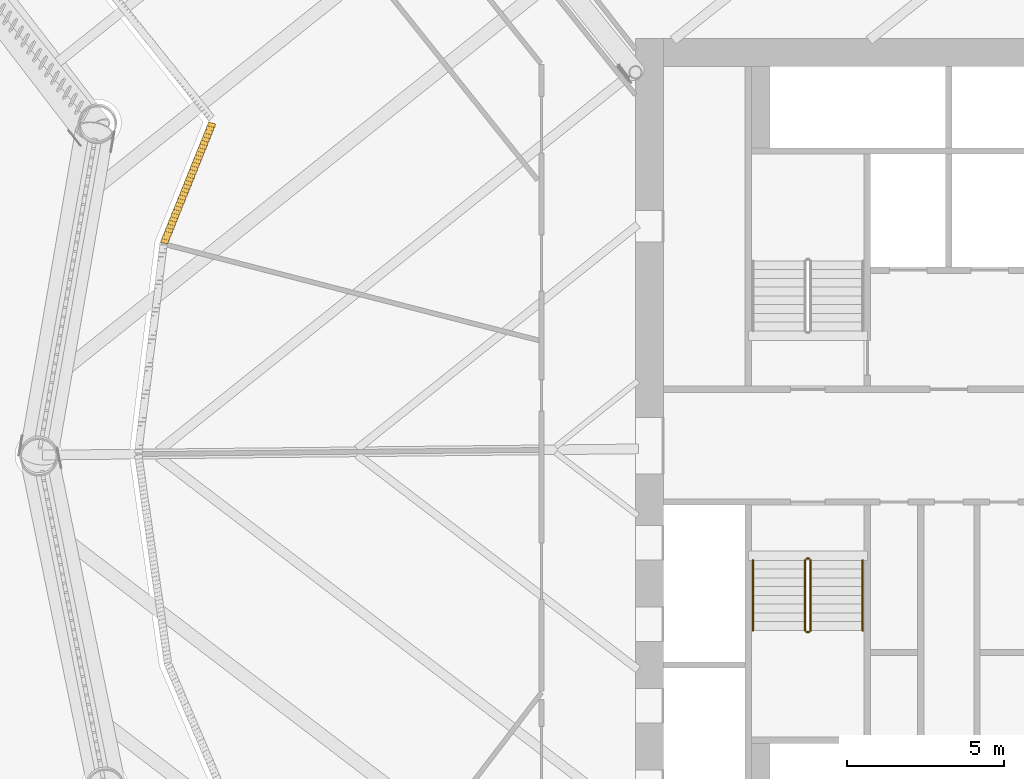
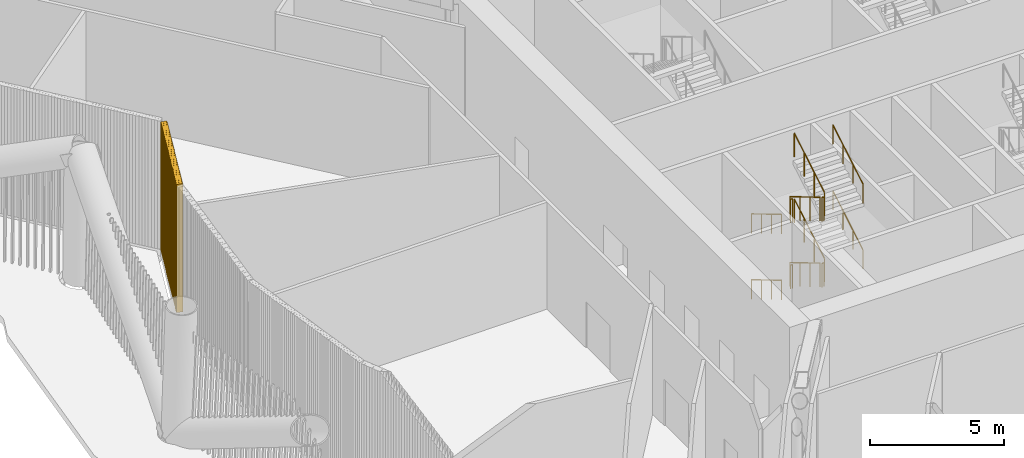
# One storey, part 40 of 48: 12 railings, 1 shading device.
"""IFC4 building model written with IfcOpenShell, lengths in metres."""

from ifc_helpers import new_model, si_unit, direction, frame, frame_2d, origin, origin_2d, place, context, subcontext, project, spatial, rectangle, circle, composite_profile, extrude, material, type_object, element, save


model = new_model("IFC4")

# Units and contexts
model_context = context("Model", 3, precision=1e-05, world=origin(), true_north=direction((0.0, 1.0)))
body_context = subcontext(model_context, "Body", "Model", "MODEL_VIEW")
ifc_project = project(units=[si_unit("LENGTHUNIT", "METRE"), si_unit("AREAUNIT", "SQUARE_METRE"), si_unit("VOLUMEUNIT", "CUBIC_METRE"), si_unit("PLANEANGLEUNIT", "RADIAN"), si_unit("MASSUNIT", "GRAM", prefix="KILO")], contexts=[model_context])

# Site, building, storey
site_placement = place(None, origin())
site = spatial("IfcSite", under=ifc_project, at=site_placement, CompositionType="ELEMENT")
building_placement = place(site_placement, origin())
building = spatial("IfcBuilding", under=site, at=building_placement, Name="Tarsis Ring Headquarters", CompositionType="ELEMENT")
storey_placement = place(building_placement, frame((0.0, 0.0, 34.0)))
storey = spatial("IfcBuildingStorey", under=building, at=storey_placement, Name="L06", CompositionType="ELEMENT", Elevation=34.0)

# Railings
ifc_material_1 = material(Name="Steel S355", Category="steel")
railing_type_1 = type_object("IfcRailingType", Name="Core stair guard 1100", PredefinedType="GUARDRAIL", material=ifc_material_1)
railing_1_placement = place(storey_placement, frame((-4.590087890625, -3.659912109375, 0.166748046875)))
element("IfcRailing", 1, at=railing_1_placement, inside=storey, type_object=railing_type_1, Name="L06 ST3 stair guard 1", PredefinedType="GUARDRAIL", context=body_context, shape_type="SweptSolid", body=[
    extrude(circle(Radius=0.02392578125, at=origin_2d()), frame((0.0, 0.0, 1.076171875), z_axis=(0.0, -0.859305625298, 0.511462454469), x_axis=(1.0, 0.0, 0.0)), (0.0, 0.0, 1.0), 2.606689453125),
    extrude(circle(Radius=0.02099609375, at=origin_2d()), origin(), (0.0, 0.0, 1.0), 1.052001953125),
    extrude(circle(Radius=0.02099609375, at=origin_2d()), frame((0.0, -0.74658203125, 0.4443359375)), (0.0, 0.0, 1.0), 1.052001953125),
    extrude(circle(Radius=0.02099609375, at=origin_2d()), frame((0.0, -1.493408203125, 0.888916015625)), (0.0, 0.0, 1.0), 1.052001953125),
    extrude(circle(Radius=0.02099609375, at=origin_2d()), frame((0.0, -2.239990234375, 1.333251953125)), (0.0, 0.0, 1.0), 1.052001953125),
])
railing_2_placement = place(storey_placement, frame((-4.5400390625, -5.949951171875, 1.5)))
element("IfcRailing", 2, at=railing_2_placement, inside=storey, type_object=railing_type_1, Name="L06 ST3 stair guard 2", PredefinedType="GUARDRAIL", context=body_context, shape_type="SweptSolid", body=[
    extrude(circle(Radius=0.02392578125, at=origin_2d()), frame((0.0, 0.0, 1.076171875), z_axis=(1.0, 0.0, 0.0), x_axis=(0.0, 1.0, 0.0)), (0.0, 0.0, 1.0), 0.080078125),
    extrude(circle(Radius=0.02099609375, at=origin_2d()), origin(), (0.0, 0.0, 1.0), 1.052001953125),
    extrude(circle(Radius=0.02099609375, at=origin_2d()), frame((0.080078125, 0.0, 0.0)), (0.0, 0.0, 1.0), 1.052001953125),
])
railing_3_placement = place(storey_placement, frame((-4.409912109375, -5.89990234375, 1.666748046875)))
element("IfcRailing", 3, at=railing_3_placement, inside=storey, type_object=railing_type_1, Name="L06 ST3 stair guard 3", PredefinedType="GUARDRAIL", context=body_context, shape_type="SweptSolid", body=[
    extrude(circle(Radius=0.02392578125, at=origin_2d()), frame((0.0, 0.0, 1.076171875), z_axis=(0.0, 0.859305625298, 0.511462454469), x_axis=(-1.0, 0.0, 0.0)), (0.0, 0.0, 1.0), 2.606689453125),
    extrude(circle(Radius=0.02099609375, at=origin_2d()), origin(), (0.0, 0.0, 1.0), 1.052001953125),
    extrude(circle(Radius=0.02099609375, at=origin_2d()), frame((0.0, 0.74658203125, 0.4443359375)), (0.0, 0.0, 1.0), 1.052001953125),
    extrude(circle(Radius=0.02099609375, at=origin_2d()), frame((0.0, 1.493408203125, 0.888916015625)), (0.0, 0.0, 1.0), 1.052001953125),
    extrude(circle(Radius=0.02099609375, at=origin_2d()), frame((0.0, 2.239990234375, 1.333251953125)), (0.0, 0.0, 1.0), 1.052001953125),
])
railing_4_placement = place(storey_placement, frame((-4.5400390625, -3.610107421875, 3.0)))
element("IfcRailing", 4, at=railing_4_placement, inside=storey, type_object=railing_type_1, Name="L06 ST3 stair guard 4", PredefinedType="GUARDRAIL", context=body_context, shape_type="SweptSolid", body=[
    extrude(circle(Radius=0.02392578125, at=origin_2d()), frame((0.0, 0.0, 1.076171875), z_axis=(1.0, 0.0, 0.0), x_axis=(0.0, 1.0, 0.0)), (0.0, 0.0, 1.0), 0.080078125),
    extrude(circle(Radius=0.02099609375, at=origin_2d()), origin(), (0.0, 0.0, 1.0), 1.052001953125),
    extrude(circle(Radius=0.02099609375, at=origin_2d()), frame((0.080078125, 0.0, 0.0)), (0.0, 0.0, 1.0), 1.052001953125),
])
railing_5_placement = place(storey_placement, frame((-4.590087890625, -3.659912109375, 3.166748046875)))
element("IfcRailing", 5, at=railing_5_placement, inside=storey, type_object=railing_type_1, Name="L06 ST3 stair guard 5", PredefinedType="GUARDRAIL", context=body_context, shape_type="SweptSolid", body=[
    extrude(circle(Radius=0.02392578125, at=origin_2d()), frame((0.0, 0.0, 1.076171875), z_axis=(0.0, -0.859305625298, 0.511462454469), x_axis=(1.0, 0.0, 0.0)), (0.0, 0.0, 1.0), 2.606689453125),
    extrude(circle(Radius=0.02099609375, at=origin_2d()), origin(), (0.0, 0.0, 1.0), 1.052001953125),
    extrude(circle(Radius=0.02099609375, at=origin_2d()), frame((0.0, -0.74658203125, 0.4443359375)), (0.0, 0.0, 1.0), 1.052001953125),
    extrude(circle(Radius=0.02099609375, at=origin_2d()), frame((0.0, -1.493408203125, 0.888916015625)), (0.0, 0.0, 1.0), 1.052001953125),
    extrude(circle(Radius=0.02099609375, at=origin_2d()), frame((0.0, -2.239990234375, 1.333251953125)), (0.0, 0.0, 1.0), 1.052001953125),
])
railing_6_placement = place(storey_placement, frame((-4.5400390625, -5.949951171875, 4.5)))
element("IfcRailing", 6, at=railing_6_placement, inside=storey, type_object=railing_type_1, Name="L06 ST3 stair guard 6", PredefinedType="GUARDRAIL", context=body_context, shape_type="SweptSolid", body=[
    extrude(circle(Radius=0.02392578125, at=origin_2d()), frame((0.0, 0.0, 1.076171875), z_axis=(1.0, 0.0, 0.0), x_axis=(0.0, 1.0, 0.0)), (0.0, 0.0, 1.0), 0.080078125),
    extrude(circle(Radius=0.02099609375, at=origin_2d()), origin(), (0.0, 0.0, 1.0), 1.052001953125),
    extrude(circle(Radius=0.02099609375, at=origin_2d()), frame((0.080078125, 0.0, 0.0)), (0.0, 0.0, 1.0), 1.052001953125),
])
railing_7_placement = place(storey_placement, frame((-4.409912109375, -5.89990234375, 4.666748046875)))
element("IfcRailing", 7, at=railing_7_placement, inside=storey, type_object=railing_type_1, Name="L06 ST3 stair guard 7", PredefinedType="GUARDRAIL", context=body_context, shape_type="SweptSolid", body=[
    extrude(circle(Radius=0.02392578125, at=origin_2d()), frame((0.0, 0.0, 1.076171875), z_axis=(0.0, 0.859305625298, 0.511462454469), x_axis=(-1.0, 0.0, 0.0)), (0.0, 0.0, 1.0), 2.606689453125),
    extrude(circle(Radius=0.02099609375, at=origin_2d()), origin(), (0.0, 0.0, 1.0), 1.052001953125),
    extrude(circle(Radius=0.02099609375, at=origin_2d()), frame((0.0, 0.74658203125, 0.4443359375)), (0.0, 0.0, 1.0), 1.052001953125),
    extrude(circle(Radius=0.02099609375, at=origin_2d()), frame((0.0, 1.493408203125, 0.888916015625)), (0.0, 0.0, 1.0), 1.052001953125),
    extrude(circle(Radius=0.02099609375, at=origin_2d()), frame((0.0, 2.239990234375, 1.333251953125)), (0.0, 0.0, 1.0), 1.052001953125),
])
railing_8_placement = place(storey_placement, frame((-4.5400390625, -3.610107421875, 0.0)))
element("IfcRailing", 8, at=railing_8_placement, inside=storey, type_object=railing_type_1, Name="L06 ST3 stair guard 8", PredefinedType="GUARDRAIL", context=body_context, shape_type="SweptSolid", body=[
    extrude(circle(Radius=0.02392578125, at=origin_2d()), frame((0.0, 0.0, 1.076171875), z_axis=(1.0, 0.0, 0.0), x_axis=(0.0, 1.0, 0.0)), (0.0, 0.0, 1.0), 0.080078125),
    extrude(circle(Radius=0.02099609375, at=origin_2d()), origin(), (0.0, 0.0, 1.0), 1.052001953125),
    extrude(circle(Radius=0.02099609375, at=origin_2d()), frame((0.080078125, 0.0, 0.0)), (0.0, 0.0, 1.0), 1.052001953125),
])
railing_type_2 = type_object("IfcRailingType", Name="Core stair handrail 900", PredefinedType="HANDRAIL", material=ifc_material_1)
railing_9_placement = place(storey_placement, frame((-6.25, -3.659912109375, 0.166748046875)))
element("IfcRailing", 9, at=railing_9_placement, inside=storey, type_object=railing_type_2, Name="L06 ST3 stair handrail 1", PredefinedType="HANDRAIL", context=body_context, shape_type="SweptSolid", body=[
    extrude(circle(Radius=0.02392578125, at=origin_2d()), frame((0.0, 0.0, 0.8759765625), z_axis=(0.0, -0.859305625298, 0.511462454469), x_axis=(1.0, 0.0, 0.0)), (0.0, 0.0, 1.0), 2.606689453125),
    extrude(circle(Radius=0.02099609375, at=origin_2d()), origin(), (0.0, 0.0, 1.0), 0.851806640625),
    extrude(circle(Radius=0.02099609375, at=origin_2d()), frame((0.0, -0.74658203125, 0.4443359375)), (0.0, 0.0, 1.0), 0.851806640625),
    extrude(circle(Radius=0.02099609375, at=origin_2d()), frame((0.0, -1.493408203125, 0.888916015625)), (0.0, 0.0, 1.0), 0.851806640625),
    extrude(circle(Radius=0.02099609375, at=origin_2d()), frame((0.0, -2.239990234375, 1.333251953125)), (0.0, 0.0, 1.0), 0.851806640625),
])
railing_10_placement = place(storey_placement, frame((-2.75, -5.89990234375, 1.666748046875)))
element("IfcRailing", 10, at=railing_10_placement, inside=storey, type_object=railing_type_2, Name="L06 ST3 stair handrail 2", PredefinedType="HANDRAIL", context=body_context, shape_type="SweptSolid", body=[
    extrude(circle(Radius=0.02392578125, at=origin_2d()), frame((0.0, 0.0, 0.8759765625), z_axis=(0.0, 0.859305625298, 0.511462454469), x_axis=(-1.0, 0.0, 0.0)), (0.0, 0.0, 1.0), 2.606689453125),
    extrude(circle(Radius=0.02099609375, at=origin_2d()), origin(), (0.0, 0.0, 1.0), 0.851806640625),
    extrude(circle(Radius=0.02099609375, at=origin_2d()), frame((0.0, 0.74658203125, 0.4443359375)), (0.0, 0.0, 1.0), 0.851806640625),
    extrude(circle(Radius=0.02099609375, at=origin_2d()), frame((0.0, 1.493408203125, 0.888916015625)), (0.0, 0.0, 1.0), 0.851806640625),
    extrude(circle(Radius=0.02099609375, at=origin_2d()), frame((0.0, 2.239990234375, 1.333251953125)), (0.0, 0.0, 1.0), 0.851806640625),
])
railing_11_placement = place(storey_placement, frame((-6.25, -3.659912109375, 3.166748046875)))
element("IfcRailing", 11, at=railing_11_placement, inside=storey, type_object=railing_type_2, Name="L06 ST3 stair handrail 3", PredefinedType="HANDRAIL", context=body_context, shape_type="SweptSolid", body=[
    extrude(circle(Radius=0.02392578125, at=origin_2d()), frame((0.0, 0.0, 0.8759765625), z_axis=(0.0, -0.859305625298, 0.511462454469), x_axis=(1.0, 0.0, 0.0)), (0.0, 0.0, 1.0), 2.606689453125),
    extrude(circle(Radius=0.02099609375, at=origin_2d()), origin(), (0.0, 0.0, 1.0), 0.851806640625),
    extrude(circle(Radius=0.02099609375, at=origin_2d()), frame((0.0, -0.74658203125, 0.4443359375)), (0.0, 0.0, 1.0), 0.851806640625),
    extrude(circle(Radius=0.02099609375, at=origin_2d()), frame((0.0, -1.493408203125, 0.888916015625)), (0.0, 0.0, 1.0), 0.851806640625),
    extrude(circle(Radius=0.02099609375, at=origin_2d()), frame((0.0, -2.239990234375, 1.333251953125)), (0.0, 0.0, 1.0), 0.851806640625),
])
railing_12_placement = place(storey_placement, frame((-2.75, -5.89990234375, 4.666748046875)))
element("IfcRailing", 12, at=railing_12_placement, inside=storey, type_object=railing_type_2, Name="L06 ST3 stair handrail 4", PredefinedType="HANDRAIL", context=body_context, shape_type="SweptSolid", body=[
    extrude(circle(Radius=0.02392578125, at=origin_2d()), frame((0.0, 0.0, 0.8759765625), z_axis=(0.0, 0.859305625298, 0.511462454469), x_axis=(-1.0, 0.0, 0.0)), (0.0, 0.0, 1.0), 2.606689453125),
    extrude(circle(Radius=0.02099609375, at=origin_2d()), origin(), (0.0, 0.0, 1.0), 0.851806640625),
    extrude(circle(Radius=0.02099609375, at=origin_2d()), frame((0.0, 0.74658203125, 0.4443359375)), (0.0, 0.0, 1.0), 0.851806640625),
    extrude(circle(Radius=0.02099609375, at=origin_2d()), frame((0.0, 1.493408203125, 0.888916015625)), (0.0, 0.0, 1.0), 0.851806640625),
    extrude(circle(Radius=0.02099609375, at=origin_2d()), frame((0.0, 2.239990234375, 1.333251953125)), (0.0, 0.0, 1.0), 0.851806640625),
])

# Shading device
ifc_material_2 = material(Name="Aluminium louvre", Category="aluminium")
shading_device_type = type_object("IfcShadingDeviceType", Name="Plant louvre fin", PredefinedType="USERDEFINED", material=ifc_material_2)
shading_device_placement = place(storey_placement, frame((-23.504150390625, 10.307373046875, 0.0), z_axis=(0.0, 0.0, 1.0), x_axis=(-0.373010746374, -0.927828997592, 0.0)))
element("IfcShadingDevice", 13, at=shading_device_placement, inside=storey, type_object=shading_device_type, Name="Louvre L06-02", ObjectType="Louvre", PredefinedType="USERDEFINED", context=body_context, shape_type="SweptSolid", body=[
    extrude(composite_profile([rectangle(XDim=0.1201171875, YDim=0.239990234375, at=frame_2d((0.076171875, 0.0), x_axis=(0.990268068742, 0.13917310096))), rectangle(XDim=0.1201171875, YDim=0.239990234375, at=frame_2d((0.201416015625, 0.0), x_axis=(0.990268068742, 0.13917310096))), rectangle(XDim=0.1201171875, YDim=0.239990234375, at=frame_2d((0.326416015625, 0.0), x_axis=(0.990268068742, 0.13917310096))), rectangle(XDim=0.1201171875, YDim=0.239990234375, at=frame_2d((0.45166015625, 0.0), x_axis=(0.990268068742, 0.13917310096))), rectangle(XDim=0.1201171875, YDim=0.239990234375, at=frame_2d((0.576904296875, 0.0), x_axis=(0.990268068742, 0.13917310096))), rectangle(XDim=0.1201171875, YDim=0.239990234375, at=frame_2d((0.701904296875, 0.0), x_axis=(0.990268068742, 0.13917310096))), rectangle(XDim=0.1201171875, YDim=0.239990234375, at=frame_2d((0.8271484375, 0.0), x_axis=(0.990268068742, 0.13917310096))), rectangle(XDim=0.1201171875, YDim=0.239990234375, at=frame_2d((0.952392578125, 0.0), x_axis=(0.990268068742, 0.13917310096))), rectangle(XDim=0.1201171875, YDim=0.239990234375, at=frame_2d((1.077392578125, 0.0), x_axis=(0.990268068742, 0.13917310096))), rectangle(XDim=0.1201171875, YDim=0.239990234375, at=frame_2d((1.20263671875, 0.0), x_axis=(0.990268068742, 0.13917310096))), rectangle(XDim=0.1201171875, YDim=0.239990234375, at=frame_2d((1.327880859375, 0.0), x_axis=(0.990268068742, 0.13917310096))), rectangle(XDim=0.1201171875, YDim=0.239990234375, at=frame_2d((1.452880859375, 0.0), x_axis=(0.990268068742, 0.13917310096))), rectangle(XDim=0.1201171875, YDim=0.239990234375, at=frame_2d((1.578125, 0.0), x_axis=(0.990268068742, 0.13917310096))), rectangle(XDim=0.1201171875, YDim=0.239990234375, at=frame_2d((1.703369140625, 0.0), x_axis=(0.990268068742, 0.13917310096))), rectangle(XDim=0.1201171875, YDim=0.239990234375, at=frame_2d((1.828369140625, 0.0), x_axis=(0.990268068742, 0.13917310096))), rectangle(XDim=0.1201171875, YDim=0.239990234375, at=frame_2d((1.95361328125, 0.0), x_axis=(0.990268068742, 0.13917310096))), rectangle(XDim=0.1201171875, YDim=0.239990234375, at=frame_2d((2.07861328125, 0.0), x_axis=(0.990268068742, 0.13917310096))), rectangle(XDim=0.1201171875, YDim=0.239990234375, at=frame_2d((2.203857421875, 0.0), x_axis=(0.990268068742, 0.13917310096))), rectangle(XDim=0.1201171875, YDim=0.239990234375, at=frame_2d((2.3291015625, 0.0), x_axis=(0.990268068742, 0.13917310096))), rectangle(XDim=0.1201171875, YDim=0.239990234375, at=frame_2d((2.4541015625, 0.0), x_axis=(0.990268068742, 0.13917310096))), rectangle(XDim=0.1201171875, YDim=0.239990234375, at=frame_2d((2.579345703125, 0.0), x_axis=(0.990268068742, 0.13917310096))), rectangle(XDim=0.1201171875, YDim=0.239990234375, at=frame_2d((2.70458984375, 0.0), x_axis=(0.990268068742, 0.13917310096))), rectangle(XDim=0.1201171875, YDim=0.239990234375, at=frame_2d((2.82958984375, 0.0), x_axis=(0.990268068742, 0.13917310096))), rectangle(XDim=0.1201171875, YDim=0.239990234375, at=frame_2d((2.954833984375, 0.0), x_axis=(0.990268068742, 0.13917310096))), rectangle(XDim=0.1201171875, YDim=0.239990234375, at=frame_2d((3.080078125, 0.0), x_axis=(0.990268068742, 0.13917310096))), rectangle(XDim=0.1201171875, YDim=0.239990234375, at=frame_2d((3.205078125, 0.0), x_axis=(0.990268068742, 0.13917310096))), rectangle(XDim=0.1201171875, YDim=0.239990234375, at=frame_2d((3.330322265625, 0.0), x_axis=(0.990268068742, 0.13917310096))), rectangle(XDim=0.1201171875, YDim=0.239990234375, at=frame_2d((3.45556640625, 0.0), x_axis=(0.990268068742, 0.13917310096))), rectangle(XDim=0.1201171875, YDim=0.239990234375, at=frame_2d((3.58056640625, 0.0), x_axis=(0.990268068742, 0.13917310096))), rectangle(XDim=0.1201171875, YDim=0.239990234375, at=frame_2d((3.705810546875, 0.0), x_axis=(0.990268068742, 0.13917310096))), rectangle(XDim=0.1201171875, YDim=0.239990234375, at=frame_2d((3.8310546875, 0.0), x_axis=(0.990268068742, 0.13917310096))), rectangle(XDim=0.1201171875, YDim=0.239990234375, at=frame_2d((3.9560546875, 0.0), x_axis=(0.990268068742, 0.13917310096))), rectangle(XDim=0.1201171875, YDim=0.239990234375, at=frame_2d((4.081298828125, 0.0), x_axis=(0.990268068742, 0.13917310096)))]), origin(), (0.0, 0.0, 1.0), 5.840087890625),
])

save(model, "model.ifc")
